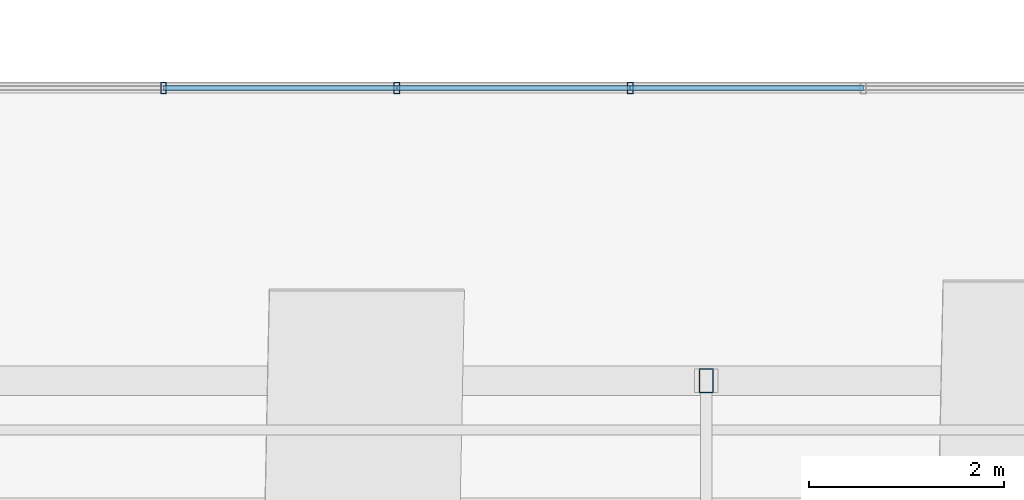
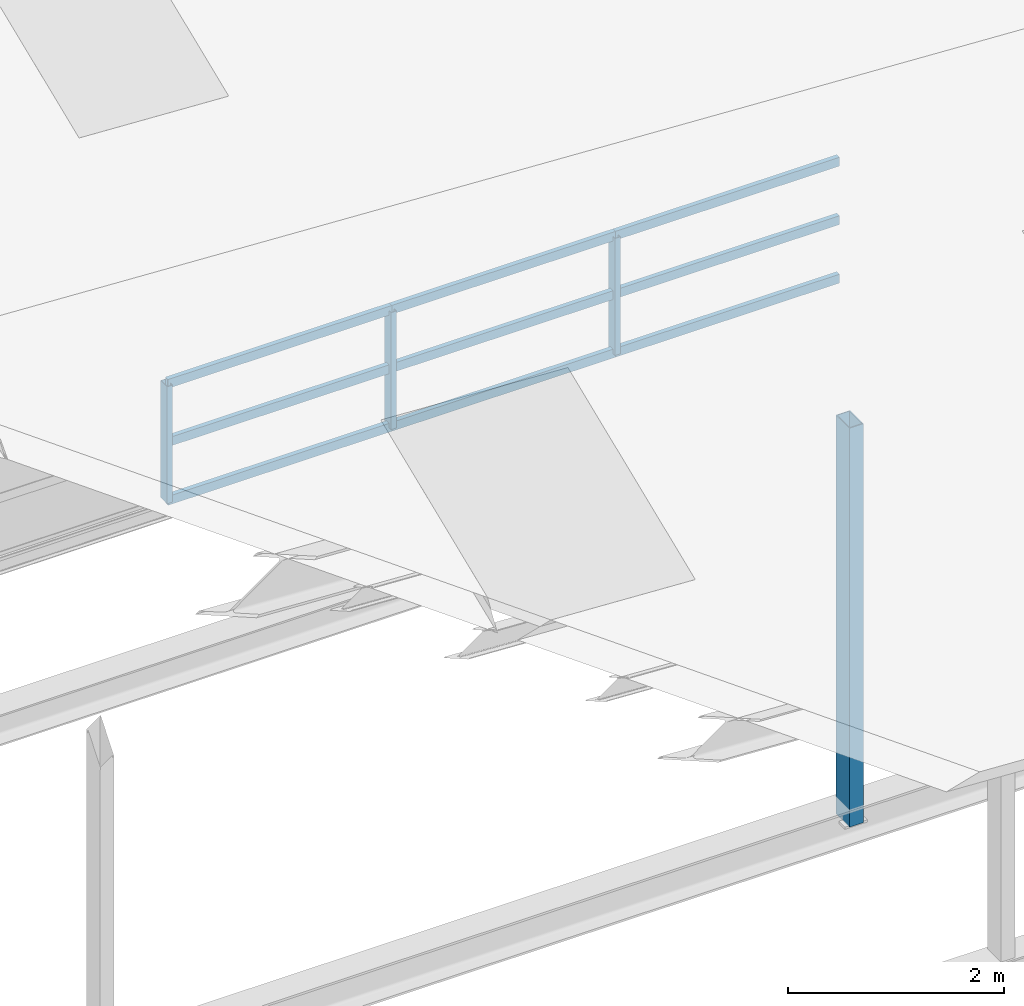
# One storey, part 63 of 141: 13 members, 1 element without a shape of its own.
"""IFC4 building model written with IfcOpenShell, lengths in metres."""

from ifc_helpers import new_model, si_unit, direction, frame, origin, origin_2d, place, context, subcontext, project, spatial, hollow_rectangle, extrude, material, material_profile, profile_set, type_object, element, aggregate, save


model = new_model("IFC4")

# Units and contexts
model_context = context("Model", 3, precision=1e-05, world=origin(), true_north=direction((0.0, 1.0)))
body_context = subcontext(model_context, "Body", "Model", "MODEL_VIEW")
ifc_project = project(units=[si_unit("LENGTHUNIT", "METRE"), si_unit("AREAUNIT", "SQUARE_METRE"), si_unit("VOLUMEUNIT", "CUBIC_METRE"), si_unit("PLANEANGLEUNIT", "RADIAN"), si_unit("MASSUNIT", "GRAM", prefix="KILO")], contexts=[model_context])

# Site, building, storey
site_placement = place(None, origin())
site = spatial("IfcSite", under=ifc_project, at=site_placement, CompositionType="ELEMENT")
building_placement = place(site_placement, origin())
building = spatial("IfcBuilding", under=site, at=building_placement, Name="Sundkrona Museum", CompositionType="ELEMENT")
storey_placement = place(building_placement, frame((0.0, 0.0, 34.0)))
storey = spatial("IfcBuildingStorey", under=building, at=storey_placement, Name="RF", CompositionType="ELEMENT", Elevation=34.0)

# Curtain wall, members
ifc_material_1 = material(Name="Unitised Aluminium-Steel and Ceramic-Clad Curtain Walling", Category="steel")
curtain_wall_type = type_object("IfcCurtainWallType", Name="CW-SW-240x13", PredefinedType="NOTDEFINED", material=ifc_material_1)
curtain_wall_placement = place(storey_placement, origin())
curtain_wall = element("IfcCurtainWall", 1, at=curtain_wall_placement, inside=storey, type_object=curtain_wall_type, Name="Sawtooth Bay 4 East North-Light Clerestory", PredefinedType="NOTDEFINED")
ifc_material_2 = material(Name="Aluminium EN AW-6060 T66", Category="aluminium")
ifc_material_profile_1 = material_profile(ifc_material_2, hollow_rectangle(XDim=0.06005859375, YDim=0.1201171875, WallThickness=0.0048828125, at=origin_2d()), Name="RHS 120x60x5.0")
ifc_profile_set_1 = profile_set([ifc_material_profile_1], Name="Aluminium EN AW-6060 T66")
member_type_1 = type_object("IfcMemberType", Name="ML-120", PredefinedType="MULLION", material=ifc_profile_set_1)
member_1_placement = place(storey_placement, frame((146.43994140625, 26.5, 3.472900390625), z_axis=(0.0, 0.0, 1.0), x_axis=(1.0, 0.0, 0.0)))
member_1 = element("IfcMember", 2, at=member_1_placement, type_object=member_type_1, Name="CW-RF-SAW-04E Mullion 02", PredefinedType="MULLION", context=body_context, shape_type="SweptSolid", body=[
    extrude(hollow_rectangle(XDim=0.06005859375, YDim=0.1201171875, WallThickness=0.0048828125, at=origin_2d()), origin(), (0.0, 0.0, 1.0), 1.320068359375),
])
member_2_placement = place(storey_placement, frame((148.830078125, 26.5, 3.472900390625), z_axis=(0.0, 0.0, 1.0), x_axis=(1.0, 0.0, 0.0)))
member_2 = element("IfcMember", 3, at=member_2_placement, type_object=member_type_1, Name="CW-RF-SAW-04E Mullion 03", PredefinedType="MULLION", context=body_context, shape_type="SweptSolid", body=[
    extrude(hollow_rectangle(XDim=0.06005859375, YDim=0.1201171875, WallThickness=0.0048828125, at=origin_2d()), origin(), (0.0, 0.0, 1.0), 1.320068359375),
])
member_3_placement = place(storey_placement, frame((151.219970703125, 26.5, 3.472900390625), z_axis=(0.0, 0.0, 1.0), x_axis=(1.0, 0.0, 0.0)))
member_3 = element("IfcMember", 4, at=member_3_placement, type_object=member_type_1, Name="CW-RF-SAW-04E Mullion 04", PredefinedType="MULLION", context=body_context, shape_type="SweptSolid", body=[
    extrude(hollow_rectangle(XDim=0.06005859375, YDim=0.1201171875, WallThickness=0.0048828125, at=origin_2d()), origin(), (0.0, 0.0, 1.0), 1.320068359375),
])

# Member
ifc_material_3 = material(Name="Steel S355J2", Category="steel")
ifc_material_profile_2 = material_profile(ifc_material_3, hollow_rectangle(XDim=0.14990234375, YDim=0.25, WallThickness=0.010009765625, at=origin_2d()), Name="RHS 250x150x10.0")
ifc_profile_set_2 = profile_set([ifc_material_profile_2], Name="Steel S355J2")
member_type_2 = type_object("IfcMemberType", Name="ST-RHS250", PredefinedType="STRUT", material=ifc_profile_set_2)
member_4_placement = place(storey_placement, frame((152.0, 23.5, -0.25), z_axis=(0.0, 0.0, 1.0), x_axis=(1.0, 0.0, 0.0)))
element("IfcMember", 5, at=member_4_placement, inside=storey, type_object=member_type_2, Name="RFS-1 Sawtooth Truss 4 Vertical Post 5", PredefinedType="STRUT", context=body_context, shape_type="SweptSolid", body=[
    extrude(hollow_rectangle(XDim=0.14990234375, YDim=0.25, WallThickness=0.010009765625, at=origin_2d()), origin(), (0.0, 0.0, 1.0), 4.5029296875),
])

ifc_material_profile_3 = material_profile(ifc_material_2, hollow_rectangle(XDim=0.050048828125, YDim=0.10009765625, WallThickness=0.0048828125, at=origin_2d()), Name="RHS 100x50x5.0")
ifc_profile_set_3 = profile_set([ifc_material_profile_3], Name="Aluminium EN AW-6060 T66")
member_type_3 = type_object("IfcMemberType", Name="TR-100", PredefinedType="USERDEFINED", material=ifc_profile_set_3)
member_5_placement = place(storey_placement, frame((146.43994140625, 26.5, 3.472900390625), z_axis=(1.0, 0.0, 0.0), x_axis=(0.0, 1.0, 0.0)))
member_5 = element("IfcMember", 6, at=member_5_placement, type_object=member_type_3, Name="CW-RF-SAW-04E Transom 04", ObjectType="TRANSOM", PredefinedType="USERDEFINED", context=body_context, shape_type="SweptSolid", body=[
    extrude(hollow_rectangle(XDim=0.050048828125, YDim=0.10009765625, WallThickness=0.0048828125, at=origin_2d()), origin(), (0.0, 0.0, 1.0), 2.39013671875),
])

member_6_placement = place(storey_placement, frame((146.43994140625, 26.5, 4.133056640625), z_axis=(1.0, 0.0, 0.0), x_axis=(0.0, 1.0, 0.0)))
member_6 = element("IfcMember", 7, at=member_6_placement, type_object=member_type_3, Name="CW-RF-SAW-04E Transom 05", ObjectType="TRANSOM", PredefinedType="USERDEFINED", context=body_context, shape_type="SweptSolid", body=[
    extrude(hollow_rectangle(XDim=0.050048828125, YDim=0.10009765625, WallThickness=0.0048828125, at=origin_2d()), origin(), (0.0, 0.0, 1.0), 2.39013671875),
])

member_7_placement = place(storey_placement, frame((146.43994140625, 26.5, 4.79296875), z_axis=(1.0, 0.0, 0.0), x_axis=(0.0, 1.0, 0.0)))
member_7 = element("IfcMember", 8, at=member_7_placement, type_object=member_type_3, Name="CW-RF-SAW-04E Transom 06", ObjectType="TRANSOM", PredefinedType="USERDEFINED", context=body_context, shape_type="SweptSolid", body=[
    extrude(hollow_rectangle(XDim=0.050048828125, YDim=0.10009765625, WallThickness=0.0048828125, at=origin_2d()), origin(), (0.0, 0.0, 1.0), 2.39013671875),
])

member_8_placement = place(storey_placement, frame((148.830078125, 26.5, 3.472900390625), z_axis=(1.0, 0.0, 0.0), x_axis=(0.0, 1.0, 0.0)))
member_8 = element("IfcMember", 9, at=member_8_placement, type_object=member_type_3, Name="CW-RF-SAW-04E Transom 07", ObjectType="TRANSOM", PredefinedType="USERDEFINED", context=body_context, shape_type="SweptSolid", body=[
    extrude(hollow_rectangle(XDim=0.050048828125, YDim=0.10009765625, WallThickness=0.0048828125, at=origin_2d()), origin(), (0.0, 0.0, 1.0), 2.389892578125),
])

member_9_placement = place(storey_placement, frame((148.830078125, 26.5, 4.133056640625), z_axis=(1.0, 0.0, 0.0), x_axis=(0.0, 1.0, 0.0)))
member_9 = element("IfcMember", 10, at=member_9_placement, type_object=member_type_3, Name="CW-RF-SAW-04E Transom 08", ObjectType="TRANSOM", PredefinedType="USERDEFINED", context=body_context, shape_type="SweptSolid", body=[
    extrude(hollow_rectangle(XDim=0.050048828125, YDim=0.10009765625, WallThickness=0.0048828125, at=origin_2d()), origin(), (0.0, 0.0, 1.0), 2.389892578125),
])

member_10_placement = place(storey_placement, frame((148.830078125, 26.5, 4.79296875), z_axis=(1.0, 0.0, 0.0), x_axis=(0.0, 1.0, 0.0)))
member_10 = element("IfcMember", 11, at=member_10_placement, type_object=member_type_3, Name="CW-RF-SAW-04E Transom 09", ObjectType="TRANSOM", PredefinedType="USERDEFINED", context=body_context, shape_type="SweptSolid", body=[
    extrude(hollow_rectangle(XDim=0.050048828125, YDim=0.10009765625, WallThickness=0.0048828125, at=origin_2d()), origin(), (0.0, 0.0, 1.0), 2.389892578125),
])

member_11_placement = place(storey_placement, frame((151.219970703125, 26.5, 3.472900390625), z_axis=(1.0, 0.0, 0.0), x_axis=(0.0, 1.0, 0.0)))
member_11 = element("IfcMember", 12, at=member_11_placement, type_object=member_type_3, Name="CW-RF-SAW-04E Transom 10", ObjectType="TRANSOM", PredefinedType="USERDEFINED", context=body_context, shape_type="SweptSolid", body=[
    extrude(hollow_rectangle(XDim=0.050048828125, YDim=0.10009765625, WallThickness=0.0048828125, at=origin_2d()), origin(), (0.0, 0.0, 1.0), 2.39013671875),
])

member_12_placement = place(storey_placement, frame((151.219970703125, 26.5, 4.133056640625), z_axis=(1.0, 0.0, 0.0), x_axis=(0.0, 1.0, 0.0)))
member_12 = element("IfcMember", 13, at=member_12_placement, type_object=member_type_3, Name="CW-RF-SAW-04E Transom 11", ObjectType="TRANSOM", PredefinedType="USERDEFINED", context=body_context, shape_type="SweptSolid", body=[
    extrude(hollow_rectangle(XDim=0.050048828125, YDim=0.10009765625, WallThickness=0.0048828125, at=origin_2d()), origin(), (0.0, 0.0, 1.0), 2.39013671875),
])

member_13_placement = place(storey_placement, frame((151.219970703125, 26.5, 4.79296875), z_axis=(1.0, 0.0, 0.0), x_axis=(0.0, 1.0, 0.0)))
member_13 = element("IfcMember", 14, at=member_13_placement, type_object=member_type_3, Name="CW-RF-SAW-04E Transom 12", ObjectType="TRANSOM", PredefinedType="USERDEFINED", context=body_context, shape_type="SweptSolid", body=[
    extrude(hollow_rectangle(XDim=0.050048828125, YDim=0.10009765625, WallThickness=0.0048828125, at=origin_2d()), origin(), (0.0, 0.0, 1.0), 2.39013671875),
])

aggregate(curtain_wall, [member_1, member_2, member_3, member_5, member_6, member_7, member_8, member_9, member_10, member_11, member_12, member_13])

save(model, "model.ifc")
